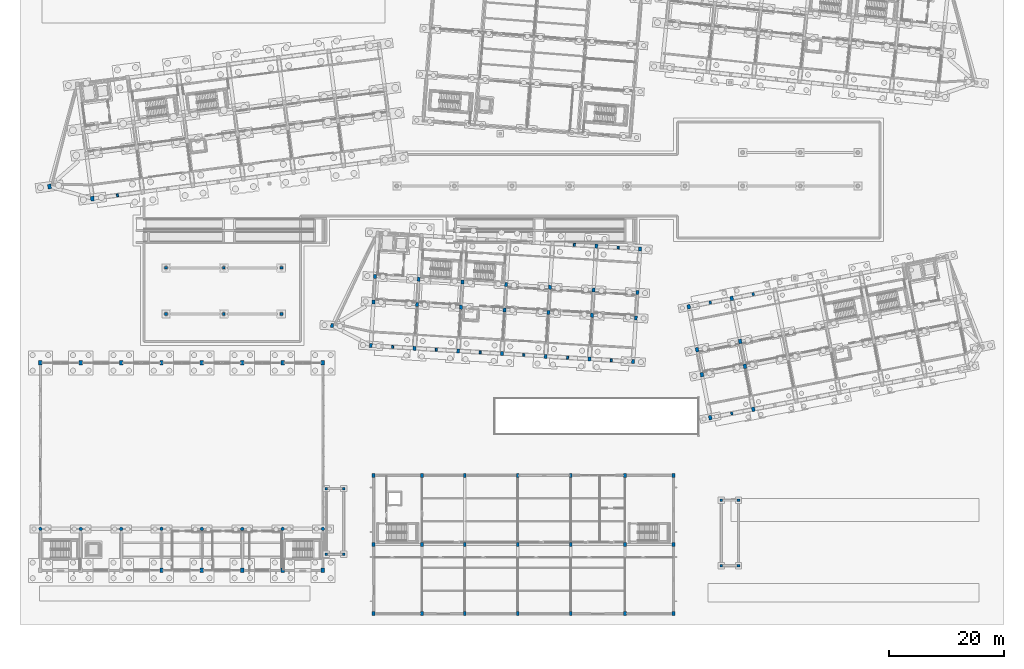
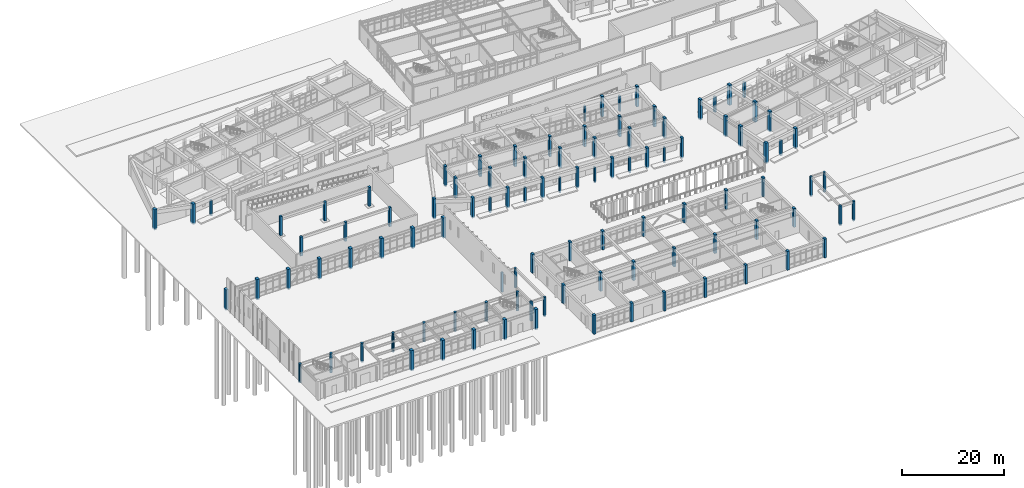
# One storey, part 7 of 154: 102 columns.
"""IFC4 building model written with IfcOpenShell, lengths in metres."""

from ifc_helpers import new_model, si_unit, direction, frame, origin, origin_2d, place, context, subcontext, project, spatial, rectangle, circle, extrude, material, material_profile, profile_set, type_object, element, save


model = new_model("IFC4")

# Units and contexts
model_context = context("Model", 3, precision=1e-05, world=origin(), true_north=direction((0.0, 1.0)))
body_context = subcontext(model_context, "Body", "Model", "MODEL_VIEW")
ifc_project = project(units=[si_unit("LENGTHUNIT", "METRE"), si_unit("AREAUNIT", "SQUARE_METRE"), si_unit("VOLUMEUNIT", "CUBIC_METRE"), si_unit("PLANEANGLEUNIT", "RADIAN"), si_unit("MASSUNIT", "GRAM", prefix="KILO")], contexts=[model_context])

# Site, building, storey
site_placement = place(None, origin())
site = spatial("IfcSite", under=ifc_project, at=site_placement, CompositionType="ELEMENT")
building_placement = place(site_placement, origin())
building = spatial("IfcBuilding", under=site, at=building_placement, Name="Kestramere Prow Commons", CompositionType="ELEMENT")
storey_placement = place(building_placement, origin())
storey = spatial("IfcBuildingStorey", under=building, at=storey_placement, Name="L00", CompositionType="ELEMENT", Elevation=0.0)

# Columns
ifc_material = material(Name="Precast concrete C40/50", Category="concrete")
ifc_material_profile_1 = material_profile(ifc_material, rectangle(XDim=0.60009765625, YDim=0.800048828125, at=origin_2d()), Name="PC-COL 600x800")
ifc_profile_set_1 = profile_set([ifc_material_profile_1], Name="Precast concrete C40/50")
column_type_1 = type_object("IfcColumnType", Name="C-A1 PC-COL 600x800 (EX)", PredefinedType="COLUMN", material=ifc_profile_set_1)
for number, where, z_axis, x_axis, name in (
    (1, (11.199951171875, 72.0, -0.35009765625), (0.0, 0.0, 1.0), (0.991444861374, 0.13052619222, 0.0), "Block A L00 Column 1-1"),
    (2, (3.7626953125, 74.09716796875, -0.35009765625), (0.0, 0.0, 1.0), (0.991444861374, 0.13052619222, 0.0), "Block A L00 Prow Apex Column"),
):
    element("IfcColumn", number, at=place(storey_placement, frame(where, z_axis=z_axis, x_axis=x_axis)), inside=storey, type_object=column_type_1, Name=name, PredefinedType="COLUMN", context=body_context, shape_type="SweptSolid", body=[
        extrude(rectangle(XDim=0.60009765625, YDim=0.800048828125, at=origin_2d()), origin(), (0.0, 0.0, 1.0), 4.85009765625),
    ])
ifc_material_profile_2 = material_profile(ifc_material, rectangle(XDim=0.5, YDim=0.699951171875, at=origin_2d()), Name="PC-COL 500x700")
ifc_profile_set_2 = profile_set([ifc_material_profile_2], Name="Precast concrete C40/50")
column_type_2 = type_object("IfcColumnType", Name="C-C1 PC-COL 500x700", PredefinedType="COLUMN", material=ifc_profile_set_2)
for number, where, z_axis, x_axis, name in (
    (3, (67.5498046875, 53.621826171875, -0.35009765625), (0.0, 0.0, 1.0), (0.998134798422, -0.061048539535, 0.0), "Block C L00 Column 2-2"),
    (4, (67.818359375, 58.013671875, -0.35009765625), (0.0, 0.0, 1.0), (0.998134798422, -0.061048539535, 0.0), "Block C L00 Column 2-3"),
    (5, (75.135498046875, 53.157958984375, -0.35009765625), (0.0, 0.0, 1.0), (0.998134798422, -0.061048539535, 0.0), "Block C L00 Column 3-2"),
    (6, (75.404296875, 57.549560546875, -0.35009765625), (0.0, 0.0, 1.0), (0.998134798422, -0.061048539535, 0.0), "Block C L00 Column 3-3"),
    (7, (82.721435546875, 52.69384765625, -0.35009765625), (0.0, 0.0, 1.0), (0.998134798422, -0.061048539535, 0.0), "Block C L00 Column 4-2"),
    (8, (82.989990234375, 57.085693359375, -0.35009765625), (0.0, 0.0, 1.0), (0.998134798422, -0.061048539535, 0.0), "Block C L00 Column 4-3"),
    (9, (90.307373046875, 52.22998046875, -0.35009765625), (0.0, 0.0, 1.0), (0.998134798422, -0.061048539535, 0.0), "Block C L00 Column 5-2"),
    (10, (90.575927734375, 56.621826171875, -0.35009765625), (0.0, 0.0, 1.0), (0.998134798422, -0.061048539535, 0.0), "Block C L00 Column 5-3"),
    (11, (97.89306640625, 51.765869140625, -0.35009765625), (0.0, 0.0, 1.0), (0.998134798422, -0.061048539535, 0.0), "Block C L00 Column 6-2"),
    (12, (98.16162109375, 56.15771484375, -0.35009765625), (0.0, 0.0, 1.0), (0.998134798422, -0.061048539535, 0.0), "Block C L00 Column 6-3"),
):
    element("IfcColumn", number, at=place(storey_placement, frame(where, z_axis=z_axis, x_axis=x_axis)), inside=storey, type_object=column_type_2, Name=name, PredefinedType="COLUMN", context=body_context, shape_type="SweptSolid", body=[
        extrude(rectangle(XDim=0.5, YDim=0.699951171875, at=origin_2d()), origin(), (0.0, 0.0, 1.0), 4.85009765625),
    ])
ifc_material_profile_3 = material_profile(ifc_material, rectangle(XDim=0.5, YDim=0.699951171875, at=origin_2d()), Name="PC-COL 500x700")
ifc_profile_set_3 = profile_set([ifc_material_profile_3], Name="Precast concrete C40/50")
column_type_3 = type_object("IfcColumnType", Name="C-C1 PC-COL 500x700 (EX)", PredefinedType="COLUMN", material=ifc_profile_set_3)
for number, where, z_axis, x_axis, name in (
    (13, (59.5, 46.5, -0.35009765625), (0.0, 0.0, 1.0), (0.998134798422, -0.061048539535, 0.0), "Block C L00 Column 1-1"),
    (14, (59.9638671875, 54.0859375, -0.35009765625), (0.0, 0.0, 1.0), (0.998134798422, -0.061048539535, 0.0), "Block C L00 Column 1-2"),
    (15, (60.232666015625, 58.4775390625, -0.35009765625), (0.0, 0.0, 1.0), (0.998134798422, -0.061048539535, 0.0), "Block C L00 Column 1-3"),
    (16, (67.0859375, 46.0361328125, -0.35009765625), (0.0, 0.0, 1.0), (0.998134798422, -0.061048539535, 0.0), "Block C L00 Column 2-1"),
    (17, (74.671630859375, 45.572021484375, -0.35009765625), (0.0, 0.0, 1.0), (0.998134798422, -0.061048539535, 0.0), "Block C L00 Column 3-1"),
    (18, (82.257568359375, 45.108154296875, -0.35009765625), (0.0, 0.0, 1.0), (0.998134798422, -0.061048539535, 0.0), "Block C L00 Column 4-1"),
    (19, (89.84326171875, 44.64404296875, -0.35009765625), (0.0, 0.0, 1.0), (0.998134798422, -0.061048539535, 0.0), "Block C L00 Column 5-1"),
    (20, (97.42919921875, 44.18017578125, -0.35009765625), (0.0, 0.0, 1.0), (0.998134798422, -0.061048539535, 0.0), "Block C L00 Column 6-1"),
    (21, (98.625732421875, 63.74365234375, -0.35009765625), (0.0, 0.0, 1.0), (0.998134798422, -0.061048539535, 0.0), "Block C L00 Column 6-4"),
    (22, (105.014892578125, 43.71630859375, -0.35009765625), (0.0, 0.0, 1.0), (0.998134798422, -0.061048539535, 0.0), "Block C L00 Column 7-1"),
    (23, (105.47900390625, 51.302001953125, -0.35009765625), (0.0, 0.0, 1.0), (0.998134798422, -0.061048539535, 0.0), "Block C L00 Column 7-2"),
    (24, (105.74755859375, 55.69384765625, -0.35009765625), (0.0, 0.0, 1.0), (0.998134798422, -0.061048539535, 0.0), "Block C L00 Column 7-3"),
    (25, (106.21142578125, 63.279541015625, -0.35009765625), (0.0, 0.0, 1.0), (0.998134798422, -0.061048539535, 0.0), "Block C L00 Column 7-4"),
    (26, (52.799072265625, 49.965576171875, -0.35009765625), (0.0, 0.0, 1.0), (0.998134798422, -0.061048539535, 0.0), "Block C L00 Prow Apex Column"),
):
    element("IfcColumn", number, at=place(storey_placement, frame(where, z_axis=z_axis, x_axis=x_axis)), inside=storey, type_object=column_type_3, Name=name, PredefinedType="COLUMN", context=body_context, shape_type="SweptSolid", body=[
        extrude(rectangle(XDim=0.5, YDim=0.699951171875, at=origin_2d()), origin(), (0.0, 0.0, 1.0), 4.85009765625),
    ])
ifc_material_profile_4 = material_profile(ifc_material, rectangle(XDim=0.449951171875, YDim=0.449951171875, at=origin_2d()), Name="PC-COL 450x450")
ifc_profile_set_4 = profile_set([ifc_material_profile_4], Name="Precast concrete C40/50")
column_type_4 = type_object("IfcColumnType", Name="C-CAN-01 PC-COL 450x450", PredefinedType="COLUMN", material=ifc_profile_set_4)
for number, where, z_axis, x_axis, name in (
    (27, (51.800048828125, 10.300048828125, -0.35009765625), (0.0, 0.0, 1.0), (1.0, 0.0, 0.0), "Canopy WEST L00 Column 1-1"),
    (28, (51.800048828125, 21.699951171875, -0.35009765625), (0.0, 0.0, 1.0), (1.0, 0.0, 0.0), "Canopy WEST L00 Column 1-2"),
    (29, (54.800048828125, 10.300048828125, -0.35009765625), (0.0, 0.0, 1.0), (1.0, 0.0, 0.0), "Canopy WEST L00 Column 2-1"),
    (30, (54.800048828125, 21.699951171875, -0.35009765625), (0.0, 0.0, 1.0), (1.0, 0.0, 0.0), "Canopy WEST L00 Column 2-2"),
):
    element("IfcColumn", number, at=place(storey_placement, frame(where, z_axis=z_axis, x_axis=x_axis)), inside=storey, type_object=column_type_4, Name=name, PredefinedType="COLUMN", context=body_context, shape_type="SweptSolid", body=[
        extrude(rectangle(XDim=0.449951171875, YDim=0.449951171875, at=origin_2d()), origin(), (0.0, 0.0, 1.0), 4.650146484375),
    ])
for number, where, z_axis, x_axis, name in (
    (31, (120.300048828125, 8.300048828125, -0.35009765625), (0.0, 0.0, 1.0), (1.0, 0.0, 0.0), "Canopy EAST L00 Column 1-1"),
    (32, (120.300048828125, 19.699951171875, -0.35009765625), (0.0, 0.0, 1.0), (1.0, 0.0, 0.0), "Canopy EAST L00 Column 1-2"),
    (33, (123.300048828125, 8.300048828125, -0.35009765625), (0.0, 0.0, 1.0), (1.0, 0.0, 0.0), "Canopy EAST L00 Column 2-1"),
    (34, (123.300048828125, 19.699951171875, -0.35009765625), (0.0, 0.0, 1.0), (1.0, 0.0, 0.0), "Canopy EAST L00 Column 2-2"),
):
    element("IfcColumn", number, at=place(storey_placement, frame(where, z_axis=z_axis, x_axis=x_axis)), inside=storey, type_object=column_type_4, Name=name, PredefinedType="COLUMN", context=body_context, shape_type="SweptSolid", body=[
        extrude(rectangle(XDim=0.449951171875, YDim=0.449951171875, at=origin_2d()), origin(), (0.0, 0.0, 1.0), 4.75),
    ])
ifc_material_profile_5 = material_profile(ifc_material, rectangle(XDim=0.5, YDim=0.5, at=origin_2d()), Name="PC-COL 500x500")
ifc_profile_set_5 = profile_set([ifc_material_profile_5], Name="Precast concrete C40/50")
column_type_5 = type_object("IfcColumnType", Name="C-CRT-01 PC-COL 500x500", PredefinedType="COLUMN", material=ifc_profile_set_5)
for number, where, z_axis, x_axis, name in (
    (35, (24.0, 52.0, -0.35009765625), (0.0, 0.0, 1.0), (1.0, 0.0, 0.0), "Courtyard Support Column 24-52"),
    (36, (34.0, 52.0, -0.35009765625), (0.0, 0.0, 1.0), (1.0, 0.0, 0.0), "Courtyard Support Column 34-52"),
    (37, (44.0, 52.0, -0.35009765625), (0.0, 0.0, 1.0), (1.0, 0.0, 0.0), "Courtyard Support Column 44-52"),
    (38, (24.0, 60.0, -0.35009765625), (0.0, 0.0, 1.0), (1.0, 0.0, 0.0), "Courtyard Support Column 24-60"),
    (39, (34.0, 60.0, -0.35009765625), (0.0, 0.0, 1.0), (1.0, 0.0, 0.0), "Courtyard Support Column 34-60"),
    (40, (44.0, 60.0, -0.35009765625), (0.0, 0.0, 1.0), (1.0, 0.0, 0.0), "Courtyard Support Column 44-60"),
):
    element("IfcColumn", number, at=place(storey_placement, frame(where, z_axis=z_axis, x_axis=x_axis)), inside=storey, type_object=column_type_5, Name=name, PredefinedType="COLUMN", context=body_context, shape_type="SweptSolid", body=[
        extrude(rectangle(XDim=0.5, YDim=0.5, at=origin_2d()), origin(), (0.0, 0.0, 1.0), 4.550048828125),
    ])
ifc_material_profile_6 = material_profile(ifc_material, rectangle(XDim=0.550048828125, YDim=0.75, at=origin_2d()), Name="PC-COL 550x750")
ifc_profile_set_6 = profile_set([ifc_material_profile_6], Name="Precast concrete C40/50")
column_type_6 = type_object("IfcColumnType", Name="C-D1 PC-COL 550x750", PredefinedType="COLUMN", material=ifc_profile_set_6)
for number, where, z_axis, x_axis, name in (
    (41, (124.41015625, 42.910400390625, -0.35009765625), (0.0, 0.0, 1.0), (0.981627183448, 0.190808995377, 0.0), "Block D L00 Column 2-2"),
    (42, (123.570556640625, 47.229736328125, -0.35009765625), (0.0, 0.0, 1.0), (0.981627183448, 0.190808995377, 0.0), "Block D L00 Column 2-3"),
):
    element("IfcColumn", number, at=place(storey_placement, frame(where, z_axis=z_axis, x_axis=x_axis)), inside=storey, type_object=column_type_6, Name=name, PredefinedType="COLUMN", context=body_context, shape_type="SweptSolid", body=[
        extrude(rectangle(XDim=0.550048828125, YDim=0.75, at=origin_2d()), origin(), (0.0, 0.0, 1.0), 4.85009765625),
    ])
ifc_material_profile_7 = material_profile(ifc_material, rectangle(XDim=0.550048828125, YDim=0.75, at=origin_2d()), Name="PC-COL 550x750")
ifc_profile_set_7 = profile_set([ifc_material_profile_7], Name="Precast concrete C40/50")
column_type_7 = type_object("IfcColumnType", Name="C-D1 PC-COL 550x750 (EX)", PredefinedType="COLUMN", material=ifc_profile_set_7)
for number, where, z_axis, x_axis, name in (
    (43, (118.39990234375, 34.0, -0.35009765625), (0.0, 0.0, 1.0), (0.981627183448, 0.190808995377, 0.0), "Block D L00 Column 1-1"),
    (44, (116.949951171875, 41.46044921875, -0.35009765625), (0.0, 0.0, 1.0), (0.981627183448, 0.190808995377, 0.0), "Block D L00 Column 1-2"),
    (45, (116.1103515625, 45.779541015625, -0.35009765625), (0.0, 0.0, 1.0), (0.981627183448, 0.190808995377, 0.0), "Block D L00 Column 1-3"),
    (46, (114.66015625, 53.239990234375, -0.35009765625), (0.0, 0.0, 1.0), (0.981627183448, 0.190808995377, 0.0), "Block D L00 Column 1-4"),
    (47, (125.8603515625, 35.4501953125, -0.35009765625), (0.0, 0.0, 1.0), (0.981627183448, 0.190808995377, 0.0), "Block D L00 Column 2-1"),
    (48, (122.12060546875, 54.68994140625, -0.35009765625), (0.0, 0.0, 1.0), (0.981627183448, 0.190808995377, 0.0), "Block D L00 Column 2-4"),
):
    element("IfcColumn", number, at=place(storey_placement, frame(where, z_axis=z_axis, x_axis=x_axis)), inside=storey, type_object=column_type_7, Name=name, PredefinedType="COLUMN", context=body_context, shape_type="SweptSolid", body=[
        extrude(rectangle(XDim=0.550048828125, YDim=0.75, at=origin_2d()), origin(), (0.0, 0.0, 1.0), 4.85009765625),
    ])
ifc_material_profile_8 = material_profile(ifc_material, rectangle(XDim=0.60009765625, YDim=0.800048828125, at=origin_2d()), Name="PC-COL 600x800")
ifc_profile_set_8 = profile_set([ifc_material_profile_8], Name="Precast concrete C40/50")
column_type_8 = type_object("IfcColumnType", Name="C-HL1 PC-COL 600x800", PredefinedType="COLUMN", material=ifc_profile_set_8)
for number, where, z_axis, x_axis, name in (
    (49, (2.199951171875, 43.5, -0.35009765625), (0.0, 0.0, 1.0), (1.0, 0.0, 0.0), "Community Hall L00 Perimeter Column 1-36"),
    (50, (9.199951171875, 43.5, -0.35009765625), (0.0, 0.0, 1.0), (1.0, 0.0, 0.0), "Community Hall L00 Perimeter Column 2-36"),
    (51, (16.199951171875, 43.5, -0.35009765625), (0.0, 0.0, 1.0), (1.0, 0.0, 0.0), "Community Hall L00 Perimeter Column 3-36"),
    (52, (23.199951171875, 7.5, -0.35009765625), (0.0, 0.0, 1.0), (1.0, 0.0, 0.0), "Community Hall L00 Perimeter Column 4-0"),
    (53, (23.199951171875, 43.5, -0.35009765625), (0.0, 0.0, 1.0), (1.0, 0.0, 0.0), "Community Hall L00 Perimeter Column 4-36"),
    (54, (30.199951171875, 7.5, -0.35009765625), (0.0, 0.0, 1.0), (1.0, 0.0, 0.0), "Community Hall L00 Perimeter Column 5-0"),
    (55, (30.199951171875, 43.5, -0.35009765625), (0.0, 0.0, 1.0), (1.0, 0.0, 0.0), "Community Hall L00 Perimeter Column 5-36"),
    (56, (37.199951171875, 7.5, -0.35009765625), (0.0, 0.0, 1.0), (1.0, 0.0, 0.0), "Community Hall L00 Perimeter Column 6-0"),
    (57, (37.199951171875, 43.5, -0.35009765625), (0.0, 0.0, 1.0), (1.0, 0.0, 0.0), "Community Hall L00 Perimeter Column 6-36"),
    (58, (44.199951171875, 7.5, -0.35009765625), (0.0, 0.0, 1.0), (1.0, 0.0, 0.0), "Community Hall L00 Perimeter Column 7-0"),
    (59, (44.199951171875, 43.5, -0.35009765625), (0.0, 0.0, 1.0), (1.0, 0.0, 0.0), "Community Hall L00 Perimeter Column 7-36"),
    (60, (51.199951171875, 7.5, -0.35009765625), (0.0, 0.0, 1.0), (1.0, 0.0, 0.0), "Community Hall L00 Perimeter Column 8-0"),
    (61, (51.199951171875, 43.5, -0.35009765625), (0.0, 0.0, 1.0), (1.0, 0.0, 0.0), "Community Hall L00 Perimeter Column 8-36"),
):
    element("IfcColumn", number, at=place(storey_placement, frame(where, z_axis=z_axis, x_axis=x_axis)), inside=storey, type_object=column_type_8, Name=name, PredefinedType="COLUMN", context=body_context, shape_type="SweptSolid", body=[
        extrude(rectangle(XDim=0.60009765625, YDim=0.800048828125, at=origin_2d()), origin(), (0.0, 0.0, 1.0), 4.85009765625),
    ])
ifc_material_profile_9 = material_profile(ifc_material, circle(Radius=0.300048828125, at=origin_2d()), Name="PC-COL D600")
ifc_profile_set_9 = profile_set([ifc_material_profile_9], Name="Precast concrete C40/50")
column_type_9 = type_object("IfcColumnType", Name="C-HL2 PC-COL D600", PredefinedType="COLUMN", material=ifc_profile_set_9)
for number, where, z_axis, x_axis, name in (
    (62, (2.199951171875, 14.699951171875, -0.35009765625), (0.0, 0.0, 1.0), (1.0, 0.0, 0.0), "Community Hall L00 Gallery Column 1"),
    (63, (9.199951171875, 14.699951171875, -0.35009765625), (0.0, 0.0, 1.0), (1.0, 0.0, 0.0), "Community Hall L00 Gallery Column 2"),
    (64, (16.199951171875, 14.699951171875, -0.35009765625), (0.0, 0.0, 1.0), (1.0, 0.0, 0.0), "Community Hall L00 Gallery Column 3"),
    (65, (23.199951171875, 14.699951171875, -0.35009765625), (0.0, 0.0, 1.0), (1.0, 0.0, 0.0), "Community Hall L00 Gallery Column 4"),
    (66, (30.199951171875, 14.699951171875, -0.35009765625), (0.0, 0.0, 1.0), (1.0, 0.0, 0.0), "Community Hall L00 Gallery Column 5"),
    (67, (37.199951171875, 14.699951171875, -0.35009765625), (0.0, 0.0, 1.0), (1.0, 0.0, 0.0), "Community Hall L00 Gallery Column 6"),
    (68, (44.199951171875, 14.699951171875, -0.35009765625), (0.0, 0.0, 1.0), (1.0, 0.0, 0.0), "Community Hall L00 Gallery Column 7"),
    (69, (51.199951171875, 14.699951171875, -0.35009765625), (0.0, 0.0, 1.0), (1.0, 0.0, 0.0), "Community Hall L00 Gallery Column 8"),
):
    element("IfcColumn", number, at=place(storey_placement, frame(where, z_axis=z_axis, x_axis=x_axis)), inside=storey, type_object=column_type_9, Name=name, PredefinedType="COLUMN", context=body_context, shape_type="SweptSolid", body=[
        extrude(circle(Radius=0.300048828125, at=origin_2d()), origin(), (0.0, 0.0, 1.0), 4.550048828125),
    ])
ifc_material_profile_10 = material_profile(ifc_material, rectangle(XDim=0.5, YDim=0.699951171875, at=origin_2d()), Name="PC-COL 500x700")
ifc_profile_set_10 = profile_set([ifc_material_profile_10], Name="Precast concrete C40/50")
column_type_10 = type_object("IfcColumnType", Name="C-MK-01 PC-COL 500x700", PredefinedType="COLUMN", material=ifc_profile_set_10)
for number, where, z_axis, x_axis, name in (
    (70, (60.0, 0.0, 0.0), (0.0, 0.0, 1.0), (1.0, 0.0, 0.0), "Market Spine L00 Column 1-1"),
    (71, (60.0, 12.0, 0.0), (0.0, 0.0, 1.0), (1.0, 0.0, 0.0), "Market Spine L00 Column 1-2"),
    (72, (60.0, 24.0, 0.0), (0.0, 0.0, 1.0), (1.0, 0.0, 0.0), "Market Spine L00 Column 1-3"),
    (73, (68.39990234375, 0.0, 0.0), (0.0, 0.0, 1.0), (1.0, 0.0, 0.0), "Market Spine L00 Column 2-1"),
    (74, (68.39990234375, 24.0, 0.0), (0.0, 0.0, 1.0), (1.0, 0.0, 0.0), "Market Spine L00 Column 2-3"),
    (75, (75.800048828125, 0.0, 0.0), (0.0, 0.0, 1.0), (1.0, 0.0, 0.0), "Market Spine L00 Column 3-1"),
    (76, (75.800048828125, 24.0, 0.0), (0.0, 0.0, 1.0), (1.0, 0.0, 0.0), "Market Spine L00 Column 3-3"),
    (77, (85.0, 0.0, 0.0), (0.0, 0.0, 1.0), (1.0, 0.0, 0.0), "Market Spine L00 Column 4-1"),
    (78, (85.0, 24.0, 0.0), (0.0, 0.0, 1.0), (1.0, 0.0, 0.0), "Market Spine L00 Column 4-3"),
    (79, (94.199951171875, 0.0, 0.0), (0.0, 0.0, 1.0), (1.0, 0.0, 0.0), "Market Spine L00 Column 5-1"),
    (80, (94.199951171875, 24.0, 0.0), (0.0, 0.0, 1.0), (1.0, 0.0, 0.0), "Market Spine L00 Column 5-3"),
    (81, (103.60009765625, 0.0, 0.0), (0.0, 0.0, 1.0), (1.0, 0.0, 0.0), "Market Spine L00 Column 6-1"),
    (82, (103.60009765625, 24.0, 0.0), (0.0, 0.0, 1.0), (1.0, 0.0, 0.0), "Market Spine L00 Column 6-3"),
    (83, (112.0, 0.0, 0.0), (0.0, 0.0, 1.0), (1.0, 0.0, 0.0), "Market Spine L00 Column 7-1"),
    (84, (112.0, 12.0, 0.0), (0.0, 0.0, 1.0), (1.0, 0.0, 0.0), "Market Spine L00 Column 7-2"),
    (85, (112.0, 24.0, 0.0), (0.0, 0.0, 1.0), (1.0, 0.0, 0.0), "Market Spine L00 Column 7-3"),
):
    element("IfcColumn", number, at=place(storey_placement, frame(where, z_axis=z_axis, x_axis=x_axis)), inside=storey, type_object=column_type_10, Name=name, PredefinedType="COLUMN", context=body_context, shape_type="SweptSolid", body=[
        extrude(rectangle(XDim=0.5, YDim=0.699951171875, at=origin_2d()), origin(), (0.0, 0.0, 1.0), 4.5),
    ])
ifc_material_profile_11 = material_profile(ifc_material, rectangle(XDim=0.5, YDim=0.699951171875, at=origin_2d()), Name="PC-COL 500x700")
ifc_profile_set_11 = profile_set([ifc_material_profile_11], Name="Precast concrete C40/50")
column_type_11 = type_object("IfcColumnType", Name="C-MK-01 PC-COL 500x700 (IN)", PredefinedType="COLUMN", material=ifc_profile_set_11)
for number, where, z_axis, x_axis, name in (
    (86, (68.39990234375, 12.0, 0.0), (0.0, 0.0, 1.0), (1.0, 0.0, 0.0), "Market Spine L00 Column 2-2"),
    (87, (75.800048828125, 12.0, 0.0), (0.0, 0.0, 1.0), (1.0, 0.0, 0.0), "Market Spine L00 Column 3-2"),
    (88, (85.0, 12.0, 0.0), (0.0, 0.0, 1.0), (1.0, 0.0, 0.0), "Market Spine L00 Column 4-2"),
    (89, (94.199951171875, 12.0, 0.0), (0.0, 0.0, 1.0), (1.0, 0.0, 0.0), "Market Spine L00 Column 5-2"),
    (90, (103.60009765625, 12.0, 0.0), (0.0, 0.0, 1.0), (1.0, 0.0, 0.0), "Market Spine L00 Column 6-2"),
):
    element("IfcColumn", number, at=place(storey_placement, frame(where, z_axis=z_axis, x_axis=x_axis)), inside=storey, type_object=column_type_11, Name=name, PredefinedType="COLUMN", context=body_context, shape_type="SweptSolid", body=[
        extrude(rectangle(XDim=0.5, YDim=0.699951171875, at=origin_2d()), origin(), (0.0, 0.0, 1.0), 4.5),
    ])
ifc_material_profile_12 = material_profile(ifc_material, rectangle(XDim=0.35009765625, YDim=0.5, at=origin_2d()), Name="PC-PIL 350x500")
ifc_profile_set_12 = profile_set([ifc_material_profile_12], Name="Precast concrete C40/50")
column_type_12 = type_object("IfcColumnType", Name="PIL-01 PC-PIL 350x500", PredefinedType="PILASTER", material=ifc_profile_set_12)
for number, where, z_axis, x_axis, name in (
    (91, (15.562255859375, 72.57421875, -0.35009765625), (0.0, 0.0, 1.0), (0.991444861374, 0.13052619222, 0.0), "Block A L00 Colonnade Pilaster S1"),
    (92, (63.29296875, 46.26806640625, -0.35009765625), (0.0, 0.0, 1.0), (0.998134798422, -0.061048539535, 0.0), "Block C L00 Colonnade Pilaster S1"),
    (93, (70.878662109375, 45.803955078125, -0.35009765625), (0.0, 0.0, 1.0), (0.998134798422, -0.061048539535, 0.0), "Block C L00 Colonnade Pilaster S2"),
    (94, (78.464599609375, 45.340087890625, -0.35009765625), (0.0, 0.0, 1.0), (0.998134798422, -0.061048539535, 0.0), "Block C L00 Colonnade Pilaster S3"),
    (95, (86.05029296875, 44.876220703125, -0.35009765625), (0.0, 0.0, 1.0), (0.998134798422, -0.061048539535, 0.0), "Block C L00 Colonnade Pilaster S4"),
    (96, (93.63623046875, 44.412109375, -0.35009765625), (0.0, 0.0, 1.0), (0.998134798422, -0.061048539535, 0.0), "Block C L00 Colonnade Pilaster S5"),
    (97, (94.832763671875, 63.9755859375, -0.35009765625), (0.0, 0.0, 1.0), (0.998134798422, -0.061048539535, 0.0), "Block C L00 Colonnade Pilaster N5"),
    (98, (101.221923828125, 43.9482421875, -0.35009765625), (0.0, 0.0, 1.0), (0.998134798422, -0.061048539535, 0.0), "Block C L00 Colonnade Pilaster S6"),
    (99, (102.418701171875, 63.51171875, -0.35009765625), (0.0, 0.0, 1.0), (0.998134798422, -0.061048539535, 0.0), "Block C L00 Colonnade Pilaster N6"),
):
    element("IfcColumn", number, at=place(storey_placement, frame(where, z_axis=z_axis, x_axis=x_axis)), inside=storey, type_object=column_type_12, Name=name, PredefinedType="PILASTER", context=body_context, shape_type="SweptSolid", body=[
        extrude(rectangle(XDim=0.35009765625, YDim=0.5, at=origin_2d()), origin(), (0.0, 0.0, 1.0), 3.7001953125),
    ])
ifc_material_profile_13 = material_profile(ifc_material, rectangle(XDim=0.39990234375, YDim=0.550048828125, at=origin_2d()), Name="PC-PIL 400x550")
ifc_profile_set_13 = profile_set([ifc_material_profile_13], Name="Precast concrete C40/50")
column_type_13 = type_object("IfcColumnType", Name="PIL-02 PC-PIL 400x550", PredefinedType="PILASTER", material=ifc_profile_set_13)
for number, where, z_axis, x_axis, name in (
    (100, (122.130126953125, 34.72509765625, -0.35009765625), (0.0, 0.0, 1.0), (0.981627183448, 0.190808995377, 0.0), "Block D L00 Colonnade Pilaster S1"),
    (101, (118.390380859375, 53.965087890625, -0.35009765625), (0.0, 0.0, 1.0), (0.981627183448, 0.190808995377, 0.0), "Block D L00 Colonnade Pilaster N1"),
    (102, (125.8505859375, 55.4150390625, -0.35009765625), (0.0, 0.0, 1.0), (0.981627183448, 0.190808995377, 0.0), "Block D L00 Colonnade Pilaster N2"),
):
    element("IfcColumn", number, at=place(storey_placement, frame(where, z_axis=z_axis, x_axis=x_axis)), inside=storey, type_object=column_type_13, Name=name, PredefinedType="PILASTER", context=body_context, shape_type="SweptSolid", body=[
        extrude(rectangle(XDim=0.39990234375, YDim=0.550048828125, at=origin_2d()), origin(), (0.0, 0.0, 1.0), 3.7001953125),
    ])

save(model, "model.ifc")
